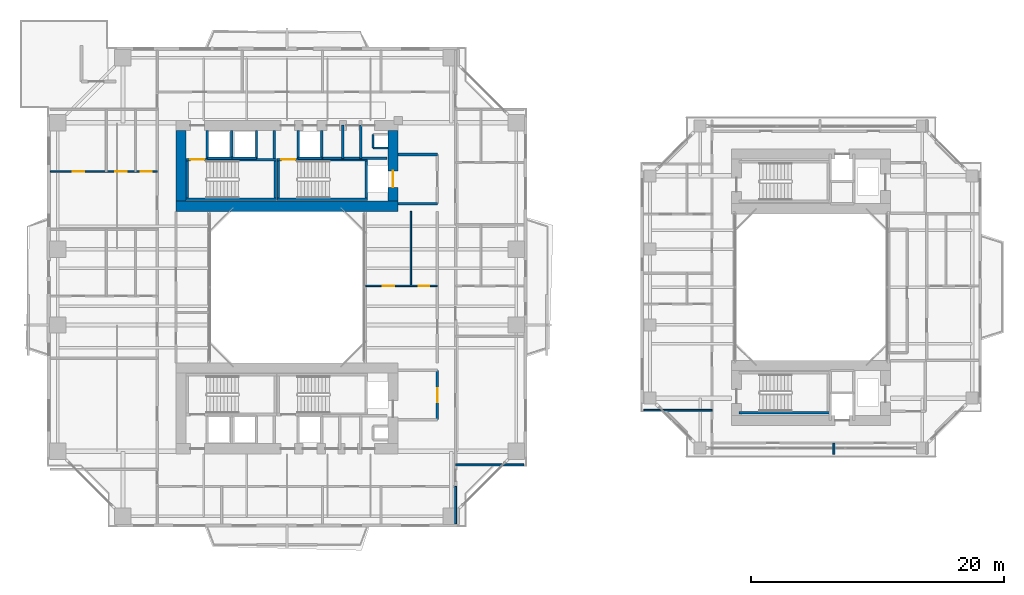
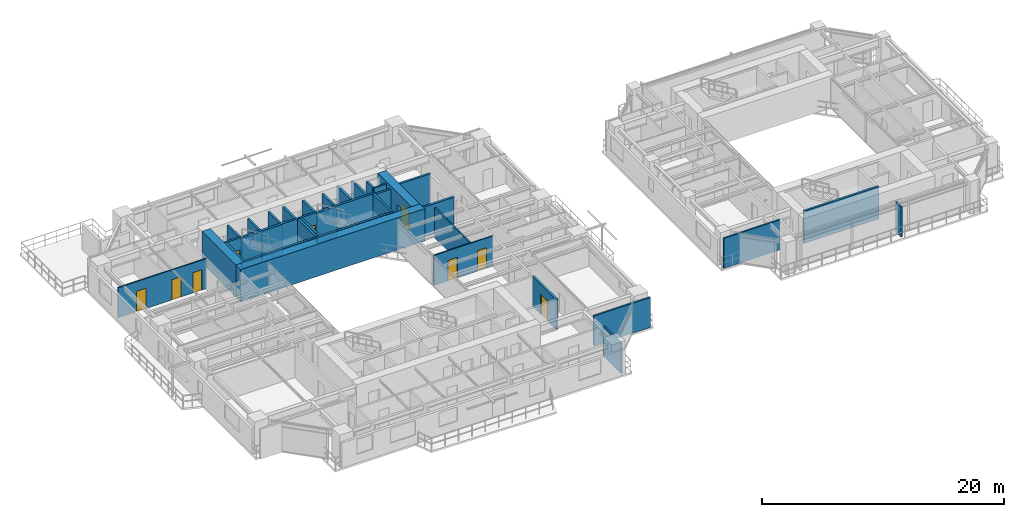
# One storey, part 14 of 24: 36 walls, 9 doors, 9 openings.
"""IFC4 building model written with IfcOpenShell, lengths in metres."""

import ifcopenshell
import ifcopenshell.guid

model = None  # the IFC model being written
_history = None  # IfcOwnerHistory: only IFC2X3 demands one
_inside = {}  # id of a spatial element -> (the spatial element, [elements in it])
_under = {}  # id of a project, library or spatial element -> (it, [spatial elements below it])
_declared = {}  # id of a project -> (the project, [libraries it declares])
_typed = {}  # id of a type object -> (the type object, [elements of that type])
_made_of = {}  # id of a material, layer set ... -> (it, [elements and type objects made of it])


def new_model(schema):
    """Start an empty IFC model of exactly this schema.

    Asked for "IFC4X3", IfcOpenShell would pick the latest addendum, in which some entities
    have other attributes; the version numbers below select the first issue.
    IFC2X3 requires an IfcOwnerHistory on every rooted entity: one is made here for all.
    """
    global model, _history
    if schema == "IFC4X3":
        model = ifcopenshell.file(schema_version=(4, 3, 0, 0))
    else:
        model = ifcopenshell.file(schema=schema)
    _inside.clear()
    _under.clear()
    _declared.clear()
    _typed.clear()
    _made_of.clear()
    _history = None
    if model.schema == "IFC2X3":
        org = make("IfcOrganization", Name="unknown")
        user = make(
            "IfcPersonAndOrganization",
            ThePerson=make("IfcPerson", FamilyName="unknown"),
            TheOrganization=org,
        )
        app = make(
            "IfcApplication",
            ApplicationDeveloper=org,
            Version="unknown",
            ApplicationFullName="unknown",
            ApplicationIdentifier="unknown",
        )
        _history = make(
            "IfcOwnerHistory",
            OwningUser=user,
            OwningApplication=app,
            ChangeAction="ADDED",
            CreationDate=0,
        )
    return model


def make(cls, **values):
    """One entity of the class cls with the attributes given. An attribute that is None is left unset."""
    return model.create_entity(
        cls, **{name: value for name, value in values.items() if value is not None}
    )


def rooted(cls, **values):
    """An entity with a GlobalId (a new one), such as an element, a storey or a relation."""
    return make(cls, GlobalId=ifcopenshell.guid.new(), OwnerHistory=_history, **values)


def si_unit(unit_type, name, prefix=None):
    """IfcSIUnit, for example si_unit("LENGTHUNIT", "METRE", prefix="MILLI")."""
    return make("IfcSIUnit", UnitType=unit_type, Prefix=prefix, Name=name)


def assignment(units):
    """IfcUnitAssignment: the units of a project."""
    return None if units is None else make("IfcUnitAssignment", Units=units)


def point(xyz):
    """IfcCartesianPoint."""
    return None if xyz is None else make("IfcCartesianPoint", Coordinates=xyz)


def direction(xyz):
    """IfcDirection."""
    return None if xyz is None else make("IfcDirection", DirectionRatios=xyz)


def frame(location, z_axis=None, x_axis=None):
    """IfcAxis2Placement3D, a coordinate frame: its origin and axes. An axis left out is left unset."""
    return make(
        "IfcAxis2Placement3D",
        Location=point(location),
        Axis=direction(z_axis),
        RefDirection=direction(x_axis),
    )


def frame_2d(location, x_axis=None):
    """IfcAxis2Placement2D, a coordinate frame in the plane: its origin and x axis."""
    return make(
        "IfcAxis2Placement2D", Location=point(location), RefDirection=direction(x_axis)
    )


def origin():
    """The frame at (0, 0, 0) with its axes left unset."""
    return frame((0.0, 0.0, 0.0))


def place(relative_to, where):
    """IfcLocalPlacement: puts the frame where relative to a parent placement (None: the world)."""
    return make(
        "IfcLocalPlacement", PlacementRelTo=relative_to, RelativePlacement=where
    )


def context(
    kind, dimensions, precision=None, world=None, true_north=None, identifier=None
):
    """IfcGeometricRepresentationContext, for example the 3D "Model" context."""
    return make(
        "IfcGeometricRepresentationContext",
        ContextIdentifier=identifier,
        ContextType=kind,
        CoordinateSpaceDimension=dimensions,
        Precision=precision,
        WorldCoordinateSystem=world,
        TrueNorth=true_north,
    )


def subcontext(parent, identifier, kind, view, scale=None):
    """IfcGeometricRepresentationSubContext, for example "Body" below "Model"."""
    return make(
        "IfcGeometricRepresentationSubContext",
        ContextIdentifier=identifier,
        ContextType=kind,
        ParentContext=parent,
        TargetScale=scale,
        TargetView=view,
    )


def project(units=None, contexts=None):
    """IfcProject with its units and contexts."""
    return rooted(
        "IfcProject",
        Name="project",
        RepresentationContexts=contexts,
        UnitsInContext=assignment(units),
    )


def spatial(cls, under=None, at=None, **own):
    """A site, building, storey or space (cls), placed at a placement, below another one or the project."""
    s = rooted(cls, ObjectPlacement=at, **own)
    if under is not None:
        _under.setdefault(under.id(), (under, []))[1].append(s)
    return s


def profile(cls, at=None, kind="AREA", **sizes):
    """A parametric profile (cls). Its sizes go by their IFC names, for example OverallWidth=200.0."""
    return make(cls, ProfileType=kind, Position=at, **sizes)


def rectangle(**sizes):
    """IfcRectangleProfileDef."""
    return profile("IfcRectangleProfileDef", **sizes)


def extrude(swept, where, along, depth):
    """IfcExtrudedAreaSolid: the profile swept, set in the frame where, extruded along a direction by depth."""
    return make(
        "IfcExtrudedAreaSolid",
        SweptArea=swept,
        Position=where,
        ExtrudedDirection=direction(along),
        Depth=depth,
    )


def shape(context_of_items, identifier, shape_type, items):
    """IfcShapeRepresentation: the items that make up one representation, for example the "Body"."""
    return make(
        "IfcShapeRepresentation",
        ContextOfItems=context_of_items,
        RepresentationIdentifier=identifier,
        RepresentationType=shape_type,
        Items=items,
    )


def source(mapping_origin, context_of_items, identifier, shape_type, items):
    """IfcRepresentationMap: a shape defined once, which mapped items show again and again."""
    return make(
        "IfcRepresentationMap",
        MappingOrigin=mapping_origin,
        MappedRepresentation=shape(context_of_items, identifier, shape_type, items),
    )


def transform(
    local_origin,
    x_axis=None,
    y_axis=None,
    z_axis=None,
    scale=None,
    scale2=None,
    scale3=None,
    uniform=True,
):
    """IfcCartesianTransformationOperator3D, or its non-uniform kind. x_axis, y_axis, z_axis: its Axis1, 2, 3."""
    if uniform:
        return make(
            "IfcCartesianTransformationOperator3D",
            Axis1=direction(x_axis),
            Axis2=direction(y_axis),
            LocalOrigin=point(local_origin),
            Scale=scale,
            Axis3=direction(z_axis),
        )
    return make(
        "IfcCartesianTransformationOperator3DnonUniform",
        Axis1=direction(x_axis),
        Axis2=direction(y_axis),
        LocalOrigin=point(local_origin),
        Scale=scale,
        Axis3=direction(z_axis),
        Scale2=scale2,
        Scale3=scale3,
    )


def mapped(mapping_source, mapping_target):
    """IfcMappedItem: shows the shape of a source again, moved by a transform."""
    return make(
        "IfcMappedItem", MappingSource=mapping_source, MappingTarget=mapping_target
    )


def material(Name=None, Category=None):
    """IfcMaterial."""
    return make("IfcMaterial", Name=Name, Category=Category)


def layer(
    of_material, thickness, ventilated=None, Name=None, Category=None, Priority=None
):
    """IfcMaterialLayer: one layer of a wall or slab, of a material (None: an air gap)."""
    return make(
        "IfcMaterialLayer",
        Material=of_material,
        LayerThickness=thickness,
        IsVentilated=ventilated,
        Name=Name,
        Category=Category,
        Priority=Priority,
    )


def layer_set(layers, Name=None):
    """IfcMaterialLayerSet."""
    return make("IfcMaterialLayerSet", MaterialLayers=layers, LayerSetName=Name)


def made_of(thing, what):
    """Note that an element or type object is made of a material, layer set ...; save() writes the relation."""
    if what is not None:
        _made_of.setdefault(what.id(), (what, []))[1].append(thing)
    return thing


def type_object(cls, material=None, **own):
    """A type object (cls), such as IfcWallType, which elements share."""
    return made_of(rooted(cls, **own), material)


def element(
    cls,
    number,
    at=None,
    inside=None,
    cuts=None,
    type_object=None,
    material=None,
    context=None,
    identifier="Body",
    shape_type=None,
    held_by="IfcProductDefinitionShape",
    body=None,
    shapes=None,
    **own,
):
    """One element of the class cls, such as IfcWall. Its Tag is "e" and its number.

    at: its placement. inside: the storey or other place that contains it. cuts: it is an
    opening in that element (IfcRelVoidsElement). A single representation is given by context,
    identifier, shape_type and body (its items); several are given by shapes. held_by: the class
    of the entity that holds the representations. save() writes the other relations.
    """
    e = rooted(cls, Tag="e%d" % number, ObjectPlacement=at, **own)
    if body is not None:
        shapes = [shape(context, identifier, shape_type, body)]
    if shapes is not None:
        e.Representation = make(held_by, Representations=shapes)
    if inside is not None:
        _inside.setdefault(inside.id(), (inside, []))[1].append(e)
    if cuts is not None:
        rooted(
            "IfcRelVoidsElement", RelatingBuildingElement=cuts, RelatedOpeningElement=e
        )
    if type_object is not None:
        _typed.setdefault(type_object.id(), (type_object, []))[1].append(e)
    return made_of(e, material)


def fill(opening, filler):
    """IfcRelFillsElement: the door or window that sits in an opening."""
    return rooted(
        "IfcRelFillsElement",
        RelatingOpeningElement=opening,
        RelatedBuildingElement=filler,
    )


def aggregate(whole, parts):
    """IfcRelAggregates: a whole, such as a stair, and the parts it consists of."""
    return rooted("IfcRelAggregates", RelatingObject=whole, RelatedObjects=parts)


def save(model, path):
    """Write the relations noted so far, then the file.

    IfcRelAggregates (storeys below a building ...), IfcRelContainedInSpatialStructure (elements
    in a storey), IfcRelDefinesByType, IfcRelAssociatesMaterial and IfcRelDeclares: one each for
    every whole, place, type object, material and project.
    """
    for whole, parts in _under.values():
        aggregate(whole, parts)
    for where, things in _inside.values():
        rooted(
            "IfcRelContainedInSpatialStructure",
            RelatedElements=things,
            RelatingStructure=where,
        )
    for kind, things in _typed.values():
        rooted("IfcRelDefinesByType", RelatedObjects=things, RelatingType=kind)
    for what, things in _made_of.values():
        rooted("IfcRelAssociatesMaterial", RelatedObjects=things, RelatingMaterial=what)
    for by, libraries in _declared.values():
        rooted("IfcRelDeclares", RelatingContext=by, RelatedDefinitions=libraries)
    model.write(path)


model = new_model("IFC4")

# Units and contexts
model_context = context("Model", 3, precision=1e-05, world=origin(), true_north=direction((0.0, 1.0)))
body_context = subcontext(model_context, "Body", "Model", "MODEL_VIEW")
ifc_project = project(units=[si_unit("LENGTHUNIT", "METRE"), si_unit("AREAUNIT", "SQUARE_METRE"), si_unit("VOLUMEUNIT", "CUBIC_METRE"), si_unit("PLANEANGLEUNIT", "RADIAN"), si_unit("MASSUNIT", "GRAM", prefix="KILO"), si_unit("THERMODYNAMICTEMPERATUREUNIT", "KELVIN"), si_unit("POWERUNIT", "WATT")], contexts=[model_context])

# Site, building, storey
site_placement = place(None, origin())
site = spatial("IfcSite", under=ifc_project, at=site_placement, CompositionType="ELEMENT")
building_placement = place(site_placement, origin())
building = spatial("IfcBuilding", under=site, at=building_placement, Name="Qiaomeng Ring Towers", CompositionType="ELEMENT")
storey_placement = place(building_placement, frame((0.0, 0.0, 42.5)))
storey = spatial("IfcBuildingStorey", under=building, at=storey_placement, Name="L11", CompositionType="ELEMENT", Elevation=42.5)

# Walls
ifc_material_1 = material(Name="Autoclaved aerated concrete block", Category="concrete")
ifc_layer_1 = layer(ifc_material_1, 0.199951171875, Name="Autoclaved aerated concrete block")
ifc_layer_set_1 = layer_set([ifc_layer_1], Name="Autoclaved aerated concrete block")
wall_type_1 = type_object("IfcWallType", Name="ARC-WL-PW1", PredefinedType="PARTITIONING", material=ifc_layer_set_1)
for number, where, z_axis, x_axis, name in (
    (1, (27.800048828125, 29.60009765625, 0.0), (0.0, 0.0, 1.0), (1.0, 0.0, 0.0), "L11 Interior Wall PW1"),
    (2, (27.800048828125, 33.5, 0.0), (0.0, 0.0, 1.0), (1.0, 0.0, 0.0), "L11 Interior Wall PW1"),
):
    element("IfcWall", number, at=place(storey_placement, frame(where, z_axis=z_axis, x_axis=x_axis)), inside=storey, type_object=wall_type_1, Name=name, PredefinedType="PARTITIONING", context=body_context, shape_type="SweptSolid", body=[
        extrude(rectangle(XDim=3.099853515625, YDim=0.199951171875, at=frame_2d((1.5498046875, 0.0))), origin(), (0.0, 0.0, 1.0), 3.030029296875),
    ])

# Wall, opening, door
wall_1_placement = place(storey_placement, frame((30.89990234375, 12.5, 0.0), z_axis=(0.0, 0.0, 1.0), x_axis=(0.0, 1.0, 0.0)))
wall_1 = element("IfcWall", 3, at=wall_1_placement, inside=storey, type_object=wall_type_1, Name="L11 Interior Wall PW1", PredefinedType="PARTITIONING", context=body_context, shape_type="SweptSolid", body=[
    extrude(rectangle(XDim=3.89990234375, YDim=0.199951171875, at=frame_2d((1.949951171875, 0.0))), origin(), (0.0, 0.0, 1.0), 3.030029296875),
])
opening_1_placement = place(wall_1_placement, frame((1.39990234375, 0.0, 0.0)))
opening_1 = element("IfcOpeningElement", 4, at=opening_1_placement, cuts=wall_1, Name="Opening FD3", PredefinedType="OPENING", context=body_context, shape_type="SweptSolid", body=[
    extrude(rectangle(XDim=1.10009765625, YDim=2.050048828125, at=frame_2d((0.550048828125, 1.02490234375))), frame((0.0, 0.10986328125, 0.0), z_axis=(0.0, -1.0, 0.0), x_axis=(1.0, 0.0, 0.0)), (0.0, 0.0, 1.0), 0.219970703125),
])
ifc_material_2 = material(Name="Galvanised steel", Category="steel")
door_type_1 = type_object("IfcDoorType", Name="ARC-DR-FD3", OperationType="NOTDEFINED", PredefinedType="DOOR", material=ifc_material_2)
shared_shape_1 = source(origin(), body_context, "Body", "SweptSolid", [
    extrude(rectangle(XDim=1.10009765625, YDim=2.050048828125, at=frame_2d((0.550048828125, 1.02490234375))), frame((0.0, 0.02490234375, 0.0), z_axis=(0.0, -1.0, 0.0), x_axis=(1.0, 0.0, 0.0)), (0.0, 0.0, 1.0), 0.050048828125),
])
door_1_placement = place(opening_1_placement, origin())
door_1 = element("IfcDoor", 5, at=door_1_placement, inside=storey, type_object=door_type_1, Name="L11 South FF Lobby Door", OperationType="SINGLE_SWING_RIGHT", OverallHeight=2.050048828125, OverallWidth=1.10009765625, PredefinedType="DOOR", context=body_context, shape_type="MappedRepresentation", body=[
    mapped(shared_shape_1, transform((0.0, 0.0, 0.0), x_axis=(1.0, 0.0, 0.0), y_axis=(0.0, 1.0, 0.0), z_axis=(0.0, 0.0, 1.0), scale=1.0)),
])
fill(opening_1, door_1)

# Walls
for number, where, z_axis, x_axis, name in (
    (6, (12.679931640625, 33.18994140625, 0.0), (0.0, 0.0, 1.0), (0.0, 1.0, 0.0), "L11 Interior Wall PW1"),
    (7, (18.0, 33.18994140625, 0.0), (0.0, 0.0, 1.0), (0.0, 1.0, 0.0), "L11 Interior Wall PW1"),
    (8, (19.8798828125, 33.18994140625, 0.0), (0.0, 0.0, 1.0), (0.0, 1.0, 0.0), "L11 Interior Wall PW1"),
):
    element("IfcWall", number, at=place(storey_placement, frame(where, z_axis=z_axis, x_axis=x_axis)), inside=storey, type_object=wall_type_1, Name=name, PredefinedType="PARTITIONING", context=body_context, shape_type="SweptSolid", body=[
        extrude(rectangle(XDim=2.2099609375, YDim=0.199951171875, at=frame_2d((1.10498046875, 0.0))), origin(), (0.0, 0.0, 1.0), 3.030029296875),
    ])
wall_2_placement = place(storey_placement, frame((24.820068359375, 33.199951171875, 0.0), z_axis=(0.0, 0.0, 1.0), x_axis=(0.0, 1.0, 0.0)))
element("IfcWall", 9, at=wall_2_placement, inside=storey, type_object=wall_type_1, Name="L11 Interior Wall PW1", PredefinedType="PARTITIONING", context=body_context, shape_type="SweptSolid", body=[
    extrude(rectangle(XDim=2.650146484375, YDim=0.199951171875, at=frame_2d((1.3251953125, 0.0))), origin(), (0.0, 0.0, 1.0), 3.030029296875),
])
wall_3_placement = place(storey_placement, frame((21.75, 33.199951171875, 0.0), z_axis=(0.0, 0.0, 1.0), x_axis=(0.0, 1.0, 0.0)))
element("IfcWall", 10, at=wall_3_placement, inside=storey, type_object=wall_type_1, Name="L11 Interior Wall PW1", PredefinedType="PARTITIONING", context=body_context, shape_type="SweptSolid", body=[
    extrude(rectangle(XDim=2.199951171875, YDim=0.199951171875, at=frame_2d((1.10009765625, 0.0))), origin(), (0.0, 0.0, 1.0), 3.030029296875),
])
wall_4_placement = place(storey_placement, frame((23.39990234375, 33.199951171875, 0.0), z_axis=(0.0, 0.0, 1.0), x_axis=(0.0, 1.0, 0.0)))
element("IfcWall", 11, at=wall_4_placement, inside=storey, type_object=wall_type_1, Name="L11 Interior Wall PW1", PredefinedType="PARTITIONING", context=body_context, shape_type="SweptSolid", body=[
    extrude(rectangle(XDim=2.650146484375, YDim=0.199951171875, at=frame_2d((1.3251953125, 0.0))), origin(), (0.0, 0.0, 1.0), 3.030029296875),
])
wall_5_placement = place(storey_placement, frame((21.75, 33.199951171875, 0.0), z_axis=(0.0, 0.0, 1.0), x_axis=(1.0, 0.0, 0.0)))
element("IfcWall", 12, at=wall_5_placement, inside=storey, type_object=wall_type_1, Name="L11 Interior Wall PW1", PredefinedType="PARTITIONING", context=body_context, shape_type="SweptSolid", body=[
    extrude(rectangle(XDim=5.169921875, YDim=0.199951171875, at=frame_2d((2.5849609375, 0.0))), origin(), (0.0, 0.0, 1.0), 3.030029296875),
])
ifc_material_3 = material(Name="Gypsum fireboard steel-stud partition", Category="steel")
ifc_layer_2 = layer(ifc_material_3, 0.14990234375, Name="Gypsum fireboard steel-stud partition")
ifc_layer_set_2 = layer_set([ifc_layer_2], Name="Gypsum fireboard steel-stud partition")
wall_type_2 = type_object("IfcWallType", Name="ARC-WL-PW3", PredefinedType="PARTITIONING", material=ifc_layer_set_2)
wall_6_placement = place(storey_placement, frame((32.35009765625, 4.25, 0.0), z_axis=(0.0, 0.0, 1.0), x_axis=(0.0, 1.0, 0.0)))
element("IfcWall", 13, at=wall_6_placement, inside=storey, type_object=wall_type_2, Name="L11 Interior Wall PW3", PredefinedType="PARTITIONING", context=body_context, shape_type="SweptSolid", body=[
    extrude(rectangle(XDim=2.9599609375, YDim=0.14990234375, at=frame_2d((1.47998046875, 0.0))), origin(), (0.0, 0.0, 1.0), 3.030029296875),
])
for number, where, z_axis, x_axis, name in (
    (14, (32.35009765625, 8.919921875, 0.0), (0.0, 0.0, 1.0), (1.0, 0.0, 0.0), "L11 Interior Wall PW3"),
    (15, (47.25, 13.25, 0.0), (0.0, 0.0, 1.0), (1.0, 0.0, 0.0), "L11 Interior Wall PW3"),
):
    element("IfcWall", number, at=place(storey_placement, frame(where, z_axis=z_axis, x_axis=x_axis)), inside=storey, type_object=wall_type_2, Name=name, PredefinedType="PARTITIONING", context=body_context, shape_type="SweptSolid", body=[
        extrude(rectangle(XDim=5.39990234375, YDim=0.14990234375, at=frame_2d((2.699951171875, 0.0))), origin(), (0.0, 0.0, 1.0), 3.030029296875),
    ])
wall_7_placement = place(storey_placement, frame((62.300048828125, 9.75, 0.0), z_axis=(0.0, 0.0, 1.0), x_axis=(0.0, 1.0, 0.0)))
element("IfcWall", 16, at=wall_7_placement, inside=storey, type_object=wall_type_2, Name="L11 Interior Wall PW3", PredefinedType="PARTITIONING", context=body_context, shape_type="SweptSolid", body=[
    extrude(rectangle(XDim=0.89990234375, YDim=0.14990234375, at=frame_2d((0.449951171875, 0.0))), origin(), (0.0, 0.0, 1.0), 3.030029296875),
])

# Wall, openings, doors
ifc_material_4 = material(Name="Moisture-resistant gypsum steel-stud partition", Category="steel")
ifc_layer_3 = layer(ifc_material_4, 0.1201171875, Name="Moisture-resistant gypsum steel-stud partition")
ifc_layer_set_3 = layer_set([ifc_layer_3], Name="Moisture-resistant gypsum steel-stud partition")
wall_type_3 = type_object("IfcWallType", Name="ARC-WL-PW4", PredefinedType="PLUMBINGWALL", material=ifc_layer_set_3)
wall_8_placement = place(storey_placement, frame((0.25, 32.139892578125, 0.0), z_axis=(0.0, 0.0, 1.0), x_axis=(1.0, 0.0, 0.0)))
wall_8 = element("IfcWall", 17, at=wall_8_placement, inside=storey, type_object=wall_type_3, Name="L11 Interior Wall PW4", PredefinedType="PLUMBINGWALL", context=body_context, shape_type="SweptSolid", body=[
    extrude(rectangle(XDim=8.469970703125, YDim=0.1201171875, at=frame_2d((4.23486328125, 0.0))), origin(), (0.0, 0.0, 1.0), 3.030029296875),
])
opening_2_placement = place(wall_8_placement, frame((1.77490234375, 0.0, 0.0)))
opening_2 = element("IfcOpeningElement", 18, at=opening_2_placement, cuts=wall_8, Name="Opening ID1", PredefinedType="OPENING", context=body_context, shape_type="SweptSolid", body=[
    extrude(rectangle(XDim=0.89990234375, YDim=2.050048828125, at=frame_2d((0.449951171875, 1.02490234375))), frame((0.0, 0.070068359375, 0.0), z_axis=(0.0, -1.0, 0.0), x_axis=(1.0, 0.0, 0.0)), (0.0, 0.0, 1.0), 0.14013671875),
])
opening_3_placement = place(wall_8_placement, frame((5.139892578125, 0.0, 0.0)))
opening_3 = element("IfcOpeningElement", 19, at=opening_3_placement, cuts=wall_8, Name="Opening ID1", PredefinedType="OPENING", context=body_context, shape_type="SweptSolid", body=[
    extrude(rectangle(XDim=0.89990234375, YDim=2.050048828125, at=frame_2d((0.449951171875, 1.02490234375))), frame((0.0, 0.070068359375, 0.0), z_axis=(0.0, -1.0, 0.0), x_axis=(1.0, 0.0, 0.0)), (0.0, 0.0, 1.0), 0.14013671875),
])
opening_4_placement = place(wall_8_placement, frame((7.175048828125, 0.0, 0.0)))
opening_4 = element("IfcOpeningElement", 20, at=opening_4_placement, cuts=wall_8, Name="Opening ID2", PredefinedType="OPENING", context=body_context, shape_type="SweptSolid", body=[
    extrude(rectangle(XDim=0.85009765625, YDim=2.050048828125, at=frame_2d((0.425048828125, 1.02490234375))), frame((0.0, 0.070068359375, 0.0), z_axis=(0.0, -1.0, 0.0), x_axis=(1.0, 0.0, 0.0)), (0.0, 0.0, 1.0), 0.14013671875),
])
ifc_material_5 = material(Name="Moisture-resistant engineered timber", Category="wood")
door_type_2 = type_object("IfcDoorType", Name="ARC-DR-ID2", OperationType="NOTDEFINED", PredefinedType="DOOR", material=ifc_material_5)
shared_shape_2 = source(origin(), body_context, "Body", "SweptSolid", [
    extrude(rectangle(XDim=0.85009765625, YDim=2.050048828125, at=frame_2d((0.425048828125, 1.02490234375))), frame((0.0, 0.02490234375, 0.0), z_axis=(0.0, -1.0, 0.0), x_axis=(1.0, 0.0, 0.0)), (0.0, 0.0, 1.0), 0.050048828125),
])
door_2_placement = place(opening_4_placement, origin())
door_2 = element("IfcDoor", 21, at=door_2_placement, inside=storey, type_object=door_type_2, Name="L11 Door ID2", OperationType="SINGLE_SWING_RIGHT", OverallHeight=2.050048828125, OverallWidth=0.85009765625, PredefinedType="DOOR", context=body_context, shape_type="MappedRepresentation", body=[
    mapped(shared_shape_2, transform((0.0, 0.0, 0.0), x_axis=(1.0, 0.0, 0.0), y_axis=(0.0, 1.0, 0.0), z_axis=(0.0, 0.0, 1.0), scale=1.0)),
])
fill(opening_4, door_2)
ifc_material_6 = material(Name="Engineered oak timber", Category="wood")
door_type_3 = type_object("IfcDoorType", Name="ARC-DR-ID1", OperationType="NOTDEFINED", PredefinedType="DOOR", material=ifc_material_6)
shared_shape_3 = source(origin(), body_context, "Body", "SweptSolid", [
    extrude(rectangle(XDim=0.89990234375, YDim=2.050048828125, at=frame_2d((0.449951171875, 1.02490234375))), frame((0.0, 0.02490234375, 0.0), z_axis=(0.0, -1.0, 0.0), x_axis=(1.0, 0.0, 0.0)), (0.0, 0.0, 1.0), 0.050048828125),
])
door_3_placement = place(opening_2_placement, origin())
door_3 = element("IfcDoor", 22, at=door_3_placement, inside=storey, type_object=door_type_3, Name="L11 Door ID1", OperationType="SINGLE_SWING_RIGHT", OverallHeight=2.050048828125, OverallWidth=0.89990234375, PredefinedType="DOOR", context=body_context, shape_type="MappedRepresentation", body=[
    mapped(shared_shape_3, transform((0.0, 0.0, 0.0), x_axis=(1.0, 0.0, 0.0), y_axis=(0.0, 1.0, 0.0), z_axis=(0.0, 0.0, 1.0), scale=1.0)),
])
fill(opening_2, door_3)
door_4_placement = place(opening_3_placement, origin())
door_4 = element("IfcDoor", 23, at=door_4_placement, inside=storey, type_object=door_type_3, Name="L11 Door ID1", OperationType="SINGLE_SWING_LEFT", OverallHeight=2.050048828125, OverallWidth=0.89990234375, PredefinedType="DOOR", context=body_context, shape_type="MappedRepresentation", body=[
    mapped(shared_shape_3, transform((0.0, 0.0, 0.0), x_axis=(1.0, 0.0, 0.0), y_axis=(0.0, 1.0, 0.0), z_axis=(0.0, 0.0, 1.0), scale=1.0)),
])
fill(opening_3, door_4)

wall_9_placement = place(storey_placement, frame((25.219970703125, 23.10009765625, 0.0), z_axis=(0.0, 0.0, 1.0), x_axis=(1.0, 0.0, 0.0)))
wall_9 = element("IfcWall", 24, at=wall_9_placement, inside=storey, type_object=wall_type_3, Name="L11 Interior Wall PW4", PredefinedType="PLUMBINGWALL", context=body_context, shape_type="SweptSolid", body=[
    extrude(rectangle(XDim=5.679931640625, YDim=0.1201171875, at=frame_2d((2.83984375, 0.0))), origin(), (0.0, 0.0, 1.0), 3.030029296875),
])
opening_5_placement = place(wall_9_placement, frame((1.35009765625, 0.0, 0.0)))
opening_5 = element("IfcOpeningElement", 25, at=opening_5_placement, cuts=wall_9, Name="Opening ID1", PredefinedType="OPENING", context=body_context, shape_type="SweptSolid", body=[
    extrude(rectangle(XDim=0.89990234375, YDim=2.050048828125, at=frame_2d((0.449951171875, 1.02490234375))), frame((0.0, 0.070068359375, 0.0), z_axis=(0.0, -1.0, 0.0), x_axis=(1.0, 0.0, 0.0)), (0.0, 0.0, 1.0), 0.14013671875),
])
opening_6_placement = place(wall_9_placement, frame((4.195068359375, 0.0, 0.0)))
opening_6 = element("IfcOpeningElement", 26, at=opening_6_placement, cuts=wall_9, Name="Opening ID2", PredefinedType="OPENING", context=body_context, shape_type="SweptSolid", body=[
    extrude(rectangle(XDim=0.85009765625, YDim=2.050048828125, at=frame_2d((0.425048828125, 1.02490234375))), frame((0.0, 0.070068359375, 0.0), z_axis=(0.0, -1.0, 0.0), x_axis=(1.0, 0.0, 0.0)), (0.0, 0.0, 1.0), 0.14013671875),
])
door_5_placement = place(opening_6_placement, origin())
door_5 = element("IfcDoor", 27, at=door_5_placement, inside=storey, type_object=door_type_2, Name="L11 Door ID2", OperationType="SINGLE_SWING_RIGHT", OverallHeight=2.050048828125, OverallWidth=0.85009765625, PredefinedType="DOOR", context=body_context, shape_type="MappedRepresentation", body=[
    mapped(shared_shape_2, transform((0.0, 0.0, 0.0), x_axis=(1.0, 0.0, 0.0), y_axis=(0.0, 1.0, 0.0), z_axis=(0.0, 0.0, 1.0), scale=1.0)),
])
fill(opening_6, door_5)
door_6_placement = place(opening_5_placement, origin())
door_6 = element("IfcDoor", 28, at=door_6_placement, inside=storey, type_object=door_type_3, Name="L11 Door ID1", OperationType="SINGLE_SWING_LEFT", OverallHeight=2.050048828125, OverallWidth=0.89990234375, PredefinedType="DOOR", context=body_context, shape_type="MappedRepresentation", body=[
    mapped(shared_shape_3, transform((0.0, 0.0, 0.0), x_axis=(1.0, 0.0, 0.0), y_axis=(0.0, 1.0, 0.0), z_axis=(0.0, 0.0, 1.0), scale=1.0)),
])
fill(opening_5, door_6)

# Walls
wall_10_placement = place(storey_placement, frame((28.800048828125, 23.10009765625, 0.0), z_axis=(0.0, 0.0, 1.0), x_axis=(0.0, 1.0, 0.0)))
element("IfcWall", 29, at=wall_10_placement, inside=storey, type_object=wall_type_3, Name="L11 Interior Wall PW4", PredefinedType="PLUMBINGWALL", context=body_context, shape_type="SweptSolid", body=[
    extrude(rectangle(XDim=5.89990234375, YDim=0.1201171875, at=frame_2d((2.949951171875, 0.0))), origin(), (0.0, 0.0, 1.0), 3.030029296875),
])
ifc_material_7 = material(Name="Concrete C40", Category="concrete")
ifc_layer_4 = layer(ifc_material_7, 0.199951171875, Name="Concrete C40")
ifc_layer_set_4 = layer_set([ifc_layer_4], Name="Concrete C40")
wall_type_4 = type_object("IfcWallType", Name="STR-WL-STSHAFT", PredefinedType="SHEAR", material=ifc_layer_set_4)
wall_11_placement = place(storey_placement, frame((12.679931640625, 33.199951171875, 0.0), z_axis=(0.0, 0.0, 1.0), x_axis=(1.0, 0.0, 0.0)))
element("IfcWall", 30, at=wall_11_placement, inside=storey, type_object=wall_type_4, Name="L11 Lift LP5 Shaft Back Wall", PredefinedType="SHEAR", context=body_context, shape_type="SweptSolid", body=[
    extrude(rectangle(XDim=1.940185546875, YDim=0.179931640625, at=frame_2d((0.97021484375, 0.0))), origin(), (0.0, 0.0, 1.0), 3.030029296875),
])
wall_12_placement = place(storey_placement, frame((14.6201171875, 33.199951171875, 0.0), z_axis=(0.0, 0.0, 1.0), x_axis=(0.0, 1.0, 0.0)))
element("IfcWall", 31, at=wall_12_placement, inside=storey, type_object=wall_type_4, Name="L11 Lift LP5-LP3 Shaft Divider Wall", PredefinedType="SHEAR", context=body_context, shape_type="SweptSolid", body=[
    extrude(rectangle(XDim=2.199951171875, YDim=0.179931640625, at=frame_2d((1.10009765625, 0.0))), origin(), (0.0, 0.0, 1.0), 3.030029296875),
])
wall_13_placement = place(storey_placement, frame((25.800048828125, 34.02001953125, 0.0), z_axis=(0.0, 0.0, 1.0), x_axis=(0.0, 1.0, 0.0)))
element("IfcWall", 32, at=wall_13_placement, inside=storey, type_object=wall_type_4, Name="L11 Riser RSR1 West Shaft Wall N", PredefinedType="SHEAR", context=body_context, shape_type="SweptSolid", body=[
    extrude(rectangle(XDim=1.06005859375, YDim=0.179931640625, at=frame_2d((0.530029296875, 0.0))), origin(), (0.0, 0.0, 1.0), 3.030029296875),
])
wall_14_placement = place(storey_placement, frame((25.800048828125, 34.02001953125, 0.0), z_axis=(0.0, 0.0, 1.0), x_axis=(1.0, 0.0, 0.0)))
element("IfcWall", 33, at=wall_14_placement, inside=storey, type_object=wall_type_4, Name="L11 Riser RSR1 South Shaft Wall N", PredefinedType="SHEAR", context=body_context, shape_type="SweptSolid", body=[
    extrude(rectangle(XDim=1.199951171875, YDim=0.179931640625, at=frame_2d((0.60009765625, 0.0))), origin(), (0.0, 0.0, 1.0), 3.030029296875),
])
wall_15_placement = place(storey_placement, frame((14.6201171875, 33.199951171875, 0.0), z_axis=(0.0, 0.0, 1.0), x_axis=(1.0, 0.0, 0.0)))
element("IfcWall", 34, at=wall_15_placement, inside=storey, type_object=wall_type_4, Name="L11 Lift LP3 Shaft Back Wall", PredefinedType="SHEAR", context=body_context, shape_type="SweptSolid", body=[
    extrude(rectangle(XDim=1.9599609375, YDim=0.179931640625, at=frame_2d((0.97998046875, 0.0))), origin(), (0.0, 0.0, 1.0), 3.030029296875),
])
wall_16_placement = place(storey_placement, frame((16.580078125, 33.199951171875, 0.0), z_axis=(0.0, 0.0, 1.0), x_axis=(0.0, 1.0, 0.0)))
element("IfcWall", 35, at=wall_16_placement, inside=storey, type_object=wall_type_4, Name="L11 Lift LP3 East Shaft Wall", PredefinedType="SHEAR", context=body_context, shape_type="SweptSolid", body=[
    extrude(rectangle(XDim=2.199951171875, YDim=0.179931640625, at=frame_2d((1.10009765625, 0.0))), origin(), (0.0, 0.0, 1.0), 3.030029296875),
])
wall_17_placement = place(storey_placement, frame((19.8798828125, 33.199951171875, 0.0), z_axis=(0.0, 0.0, 1.0), x_axis=(1.0, 0.0, 0.0)))
element("IfcWall", 36, at=wall_17_placement, inside=storey, type_object=wall_type_4, Name="L11 Lift LP1 Shaft Back Wall", PredefinedType="SHEAR", context=body_context, shape_type="SweptSolid", body=[
    extrude(rectangle(XDim=1.8701171875, YDim=0.179931640625, at=frame_2d((0.93505859375, 0.0))), origin(), (0.0, 0.0, 1.0), 3.030029296875),
])
wall_18_placement = place(storey_placement, frame((11.0, 29.949951171875, 0.0), z_axis=(0.0, 0.0, 1.0), x_axis=(1.0, 0.0, 0.0)))
element("IfcWall", 37, at=wall_18_placement, inside=storey, type_object=wall_type_4, Name="L11 Stair ST1 South Shaft Shear Wall", PredefinedType="SHEAR", context=body_context, shape_type="SweptSolid", body=[
    extrude(rectangle(XDim=7.14990234375, YDim=0.199951171875, at=frame_2d((3.574951171875, 0.0))), origin(), (0.0, 0.0, 1.0), 3.25),
])

# Wall, opening, door
wall_19_placement = place(storey_placement, frame((11.0, 33.090087890625, 0.0), z_axis=(0.0, 0.0, 1.0), x_axis=(1.0, 0.0, 0.0)))
wall_19 = element("IfcWall", 38, at=wall_19_placement, inside=storey, type_object=wall_type_4, Name="L11 Stair ST1 North Shaft Shear Wall", PredefinedType="SHEAR", context=body_context, shape_type="SweptSolid", body=[
    extrude(rectangle(XDim=7.14990234375, YDim=0.199951171875, at=frame_2d((3.574951171875, 0.0))), origin(), (0.0, 0.0, 1.0), 3.25),
])
opening_7_placement = place(wall_19_placement, frame((0.35009765625, 0.0, 0.0)))
opening_7 = element("IfcOpeningElement", 39, at=opening_7_placement, cuts=wall_19, Name="Opening FD3", PredefinedType="OPENING", context=body_context, shape_type="SweptSolid", body=[
    extrude(rectangle(XDim=1.10009765625, YDim=2.050048828125, at=frame_2d((0.550048828125, 1.02490234375))), frame((0.0, 0.10986328125, 0.0), z_axis=(0.0, -1.0, 0.0), x_axis=(1.0, 0.0, 0.0)), (0.0, 0.0, 1.0), 0.219970703125),
])
door_7_placement = place(opening_7_placement, origin())
door_7 = element("IfcDoor", 40, at=door_7_placement, inside=storey, type_object=door_type_1, Name="L11 Stair ST1 Exit Door", OperationType="SINGLE_SWING_RIGHT", OverallHeight=2.050048828125, OverallWidth=1.10009765625, PredefinedType="DOOR", context=body_context, shape_type="MappedRepresentation", body=[
    mapped(shared_shape_1, transform((0.0, 0.0, 0.0), x_axis=(1.0, 0.0, 0.0), y_axis=(0.0, 1.0, 0.0), z_axis=(0.0, 0.0, 1.0), scale=1.0)),
])
fill(opening_7, door_7)

# Walls
for number, where, z_axis, x_axis, name in (
    (41, (11.10009765625, 30.050048828125, 0.0), (0.0, 0.0, 1.0), (0.0, 1.0, 0.0), "L11 Stair ST1 West Shaft Shear Wall"),
    (42, (18.050048828125, 30.050048828125, 0.0), (0.0, 0.0, 1.0), (0.0, 1.0, 0.0), "L11 Stair ST1 East Shaft Shear Wall"),
):
    element("IfcWall", number, at=place(storey_placement, frame(where, z_axis=z_axis, x_axis=x_axis)), inside=storey, type_object=wall_type_4, Name=name, PredefinedType="SHEAR", context=body_context, shape_type="SweptSolid", body=[
        extrude(rectangle(XDim=2.93994140625, YDim=0.199951171875, at=frame_2d((1.469970703125, 0.0))), origin(), (0.0, 0.0, 1.0), 3.25),
    ])
wall_20_placement = place(storey_placement, frame((18.199951171875, 29.949951171875, 0.0), z_axis=(0.0, 0.0, 1.0), x_axis=(1.0, 0.0, 0.0)))
element("IfcWall", 43, at=wall_20_placement, inside=storey, type_object=wall_type_4, Name="L11 Stair ST2 South Shaft Shear Wall", PredefinedType="SHEAR", context=body_context, shape_type="SweptSolid", body=[
    extrude(rectangle(XDim=7.150146484375, YDim=0.199951171875, at=frame_2d((3.5751953125, 0.0))), origin(), (0.0, 0.0, 1.0), 3.25),
])

# Wall, opening, door
wall_21_placement = place(storey_placement, frame((18.199951171875, 33.090087890625, 0.0), z_axis=(0.0, 0.0, 1.0), x_axis=(1.0, 0.0, 0.0)))
wall_21 = element("IfcWall", 44, at=wall_21_placement, inside=storey, type_object=wall_type_4, Name="L11 Stair ST2 North Shaft Shear Wall", PredefinedType="SHEAR", context=body_context, shape_type="SweptSolid", body=[
    extrude(rectangle(XDim=7.150146484375, YDim=0.199951171875, at=frame_2d((3.5751953125, 0.0))), origin(), (0.0, 0.0, 1.0), 3.25),
])
opening_8_placement = place(wall_21_placement, frame((0.35009765625, 0.0, 0.0)))
opening_8 = element("IfcOpeningElement", 45, at=opening_8_placement, cuts=wall_21, Name="Opening FD3", PredefinedType="OPENING", context=body_context, shape_type="SweptSolid", body=[
    extrude(rectangle(XDim=1.10009765625, YDim=2.050048828125, at=frame_2d((0.550048828125, 1.02490234375))), frame((0.0, 0.10986328125, 0.0), z_axis=(0.0, -1.0, 0.0), x_axis=(1.0, 0.0, 0.0)), (0.0, 0.0, 1.0), 0.219970703125),
])
door_8_placement = place(opening_8_placement, origin())
door_8 = element("IfcDoor", 46, at=door_8_placement, inside=storey, type_object=door_type_1, Name="L11 Stair ST2 Exit Door", OperationType="SINGLE_SWING_RIGHT", OverallHeight=2.050048828125, OverallWidth=1.10009765625, PredefinedType="DOOR", context=body_context, shape_type="MappedRepresentation", body=[
    mapped(shared_shape_1, transform((0.0, 0.0, 0.0), x_axis=(1.0, 0.0, 0.0), y_axis=(0.0, 1.0, 0.0), z_axis=(0.0, 0.0, 1.0), scale=1.0)),
])
fill(opening_8, door_8)

# Walls
for number, where, z_axis, x_axis, name in (
    (47, (18.300048828125, 30.050048828125, 0.0), (0.0, 0.0, 1.0), (0.0, 1.0, 0.0), "L11 Stair ST2 West Shaft Shear Wall"),
    (48, (25.25, 30.050048828125, 0.0), (0.0, 0.0, 1.0), (0.0, 1.0, 0.0), "L11 Stair ST2 East Shaft Shear Wall"),
):
    element("IfcWall", number, at=place(storey_placement, frame(where, z_axis=z_axis, x_axis=x_axis)), inside=storey, type_object=wall_type_4, Name=name, PredefinedType="SHEAR", context=body_context, shape_type="SweptSolid", body=[
        extrude(rectangle(XDim=2.93994140625, YDim=0.199951171875, at=frame_2d((1.469970703125, 0.0))), origin(), (0.0, 0.0, 1.0), 3.25),
    ])
wall_22_placement = place(storey_placement, frame((54.800048828125, 13.06005859375, 0.0), z_axis=(0.0, 0.0, 1.0), x_axis=(1.0, 0.0, 0.0)))
element("IfcWall", 49, at=wall_22_placement, inside=storey, type_object=wall_type_4, Name="L11 Stair ST6 South Shaft Shear Wall", PredefinedType="SHEAR", context=body_context, shape_type="SweptSolid", body=[
    extrude(rectangle(XDim=7.14990234375, YDim=0.199951171875, at=frame_2d((3.574951171875, 0.0))), origin(), (0.0, 0.0, 1.0), 3.25),
])
ifc_material_8 = material(Name="Concrete C60", Category="concrete")
ifc_layer_5 = layer(ifc_material_8, 0.800048828125, Name="Concrete C60")
ifc_layer_set_5 = layer_set([ifc_layer_5], Name="Concrete C60")
wall_type_5 = type_object("IfcWallType", Name="STR-WL-SW1", PredefinedType="SHEAR", material=ifc_layer_set_5)
wall_23_placement = place(storey_placement, frame((10.199951171875, 29.39990234375, 0.0), z_axis=(0.0, 0.0, 1.0), x_axis=(1.0, 0.0, 0.0)))
element("IfcWall", 50, at=wall_23_placement, inside=storey, type_object=wall_type_5, Name="L11 T1NC south core shear wall", PredefinedType="SHEAR", context=body_context, shape_type="SweptSolid", body=[
    extrude(rectangle(XDim=17.60009765625, YDim=0.800048828125, at=frame_2d((8.800048828125, 0.0))), origin(), (0.0, 0.0, 1.0), 3.25),
])
wall_24_placement = place(storey_placement, frame((10.60009765625, 29.800048828125, 0.0), z_axis=(0.0, 0.0, 1.0), x_axis=(0.0, 1.0, 0.0)))
element("IfcWall", 51, at=wall_24_placement, inside=storey, type_object=wall_type_5, Name="L11 T1NC west core shear wall", PredefinedType="SHEAR", context=body_context, shape_type="SweptSolid", body=[
    extrude(rectangle(XDim=5.599853515625, YDim=0.800048828125, at=frame_2d((2.7998046875, 0.0))), origin(), (0.0, 0.0, 1.0), 3.25),
])

# Wall, opening, door
wall_25_placement = place(storey_placement, frame((27.39990234375, 29.800048828125, 0.0), z_axis=(0.0, 0.0, 1.0), x_axis=(0.0, 1.0, 0.0)))
wall_25 = element("IfcWall", 52, at=wall_25_placement, inside=storey, type_object=wall_type_5, Name="L11 T1NC east core shear wall", PredefinedType="SHEAR", context=body_context, shape_type="SweptSolid", body=[
    extrude(rectangle(XDim=5.599853515625, YDim=0.800048828125, at=frame_2d((2.7998046875, 0.0))), origin(), (0.0, 0.0, 1.0), 3.25),
])
opening_9_placement = place(wall_25_placement, frame((1.10009765625, 0.0, 0.0)))
opening_9 = element("IfcOpeningElement", 53, at=opening_9_placement, cuts=wall_25, Name="Opening LD2", PredefinedType="OPENING", context=body_context, shape_type="SweptSolid", body=[
    extrude(rectangle(XDim=1.300048828125, YDim=2.050048828125, at=frame_2d((0.64990234375, 1.02490234375))), frame((0.0, 0.409912109375, 0.0), z_axis=(0.0, -1.0, 0.0), x_axis=(1.0, 0.0, 0.0)), (0.0, 0.0, 1.0), 0.820068359375),
])
ifc_material_9 = material(Name="Stainless steel 316", Category="steel")
door_type_4 = type_object("IfcDoorType", Name="ARC-DR-LD2", OperationType="NOTDEFINED", PredefinedType="DOOR", material=ifc_material_9)
shared_shape_4 = source(origin(), body_context, "Body", "SweptSolid", [
    extrude(rectangle(XDim=1.300048828125, YDim=2.050048828125, at=frame_2d((0.64990234375, 1.02490234375))), frame((0.0, 0.02490234375, 0.0), z_axis=(0.0, -1.0, 0.0), x_axis=(1.0, 0.0, 0.0)), (0.0, 0.0, 1.0), 0.050048828125),
])
door_9_placement = place(opening_9_placement, origin())
door_9 = element("IfcDoor", 54, at=door_9_placement, inside=storey, type_object=door_type_4, Name="L11 Firefighting Lift FL1 Landing Door", OperationType="SLIDING_TO_LEFT", OverallHeight=2.050048828125, OverallWidth=1.300048828125, PredefinedType="DOOR", context=body_context, shape_type="MappedRepresentation", body=[
    mapped(shared_shape_4, transform((0.0, 0.0, 0.0), x_axis=(1.0, 0.0, 0.0), y_axis=(0.0, 1.0, 0.0), z_axis=(0.0, 0.0, 1.0), scale=1.0)),
])
fill(opening_9, door_9)

save(model, "model.ifc")
